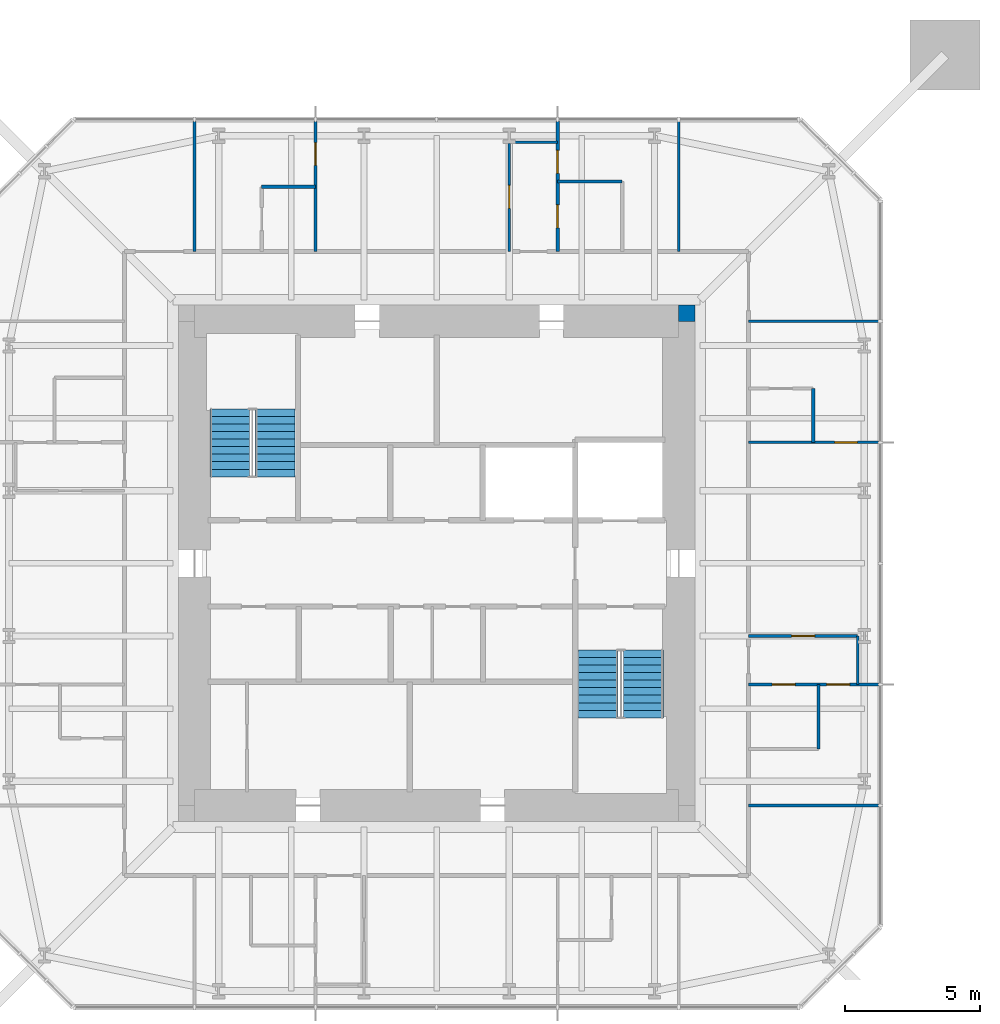
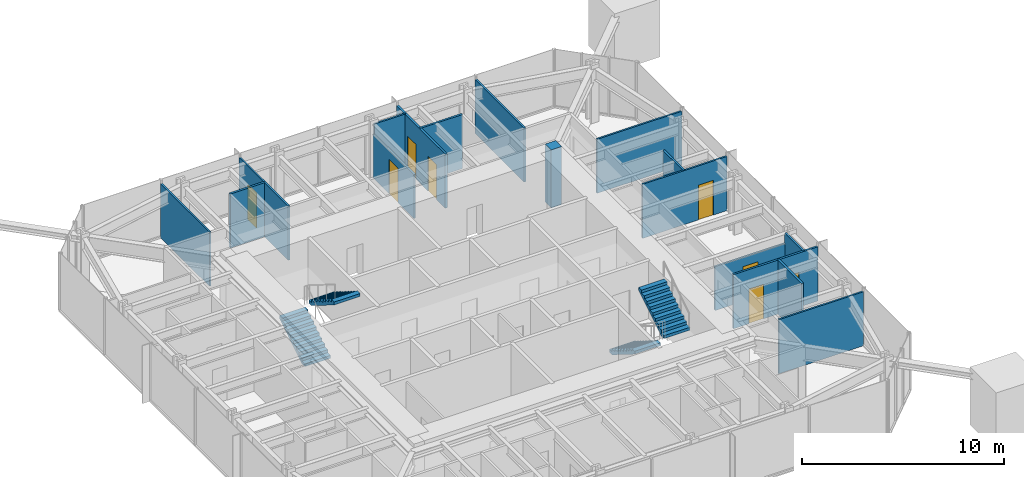
# One storey, part 8 of 9: 17 walls, 8 doors, 4 stair flights, 8 openings, 2 elements without a shape of their own.
"""IFC4 building model written with IfcOpenShell, lengths in metres."""

from ifc_helpers import new_model, si_unit, direction, frame, frame_2d, origin, place, context, subcontext, project, spatial, polyline, rectangle, outline, extrude, material, layer, layer_set, constituent, constituent_set, type_object, element, fill, aggregate, save


model = new_model("IFC4")

# Units and contexts
model_context = context("Model", 3, precision=1e-05, world=origin(), true_north=direction((0.0, 1.0)))
body_context = subcontext(model_context, "Body", "Model", "MODEL_VIEW")
ifc_project = project(units=[si_unit("LENGTHUNIT", "METRE"), si_unit("AREAUNIT", "SQUARE_METRE"), si_unit("VOLUMEUNIT", "CUBIC_METRE"), si_unit("PLANEANGLEUNIT", "RADIAN"), si_unit("MASSUNIT", "GRAM", prefix="KILO")], contexts=[model_context])

# Site, building, storey
site_placement = place(None, origin())
site = spatial("IfcSite", under=ifc_project, at=site_placement, CompositionType="ELEMENT")
building_placement = place(site_placement, origin())
building = spatial("IfcBuilding", under=site, at=building_placement, Name="Iwan Alto Co-Living Towers", CompositionType="ELEMENT")
storey_placement = place(building_placement, frame((0.0, 0.0, 239.5)))
storey = spatial("IfcBuildingStorey", under=building, at=storey_placement, Name="L65", CompositionType="ELEMENT", Elevation=239.5)

# Wall
ifc_material_1 = material(Name="Gypsum board")
ifc_layer_1 = layer(ifc_material_1, 0.012451171875, Name="Board", Category="Finish")
ifc_material_2 = material(Name="Steel ASTM A1003 ST33H cold-formed studs", Category="steel")
ifc_layer_2 = layer(ifc_material_2, 0.074951171875, Name="Studs", Category="Framing")
ifc_layer_3 = layer(ifc_material_1, 0.012451171875, Name="Board", Category="Finish")
ifc_layer_set_1 = layer_set([ifc_layer_1, ifc_layer_2, ifc_layer_3], Name="PARTITION 100")
wall_type_1 = type_object("IfcWallType", Name="PARTITION 100", PredefinedType="PARTITIONING", material=ifc_layer_set_1)
wall_1_placement = place(storey_placement, frame((11.60009765625, -9.0, 0.0), z_axis=(0.0, 0.0, 1.0), x_axis=(1.0, 0.0, 0.0)))
element("IfcWall", 1, at=wall_1_placement, inside=storey, type_object=wall_type_1, Name="Partition L65", PredefinedType="PARTITIONING", context=body_context, shape_type="SweptSolid", body=[
    extrude(rectangle(XDim=4.83984375, YDim=0.10009765625, at=frame_2d((2.419921875, 0.0))), origin(), (0.0, 0.0, 1.0), 3.27001953125),
])

# Wall, opening, door
wall_2_placement = place(storey_placement, frame((11.60009765625, -2.699951171875, 0.0), z_axis=(0.0, 0.0, 1.0), x_axis=(1.0, 0.0, 0.0)))
wall_2 = element("IfcWall", 2, at=wall_2_placement, inside=storey, type_object=wall_type_1, Name="Partition L65", PredefinedType="PARTITIONING", context=body_context, shape_type="SweptSolid", body=[
    extrude(rectangle(XDim=4.0498046875, YDim=0.10009765625, at=frame_2d((2.02490234375, 0.0))), origin(), (0.0, 0.0, 1.0), 2.662841796875),
])
opening_1_placement = place(wall_2_placement, frame((1.60009765625, 0.0, 0.0)))
opening_1 = element("IfcOpeningElement", 3, at=opening_1_placement, cuts=wall_2, Name="Opening D2", PredefinedType="OPENING", context=body_context, shape_type="SweptSolid", body=[
    extrude(rectangle(XDim=0.85009765625, YDim=2.10009765625, at=frame_2d((0.425048828125, 1.050048828125))), frame((0.0, 0.06005859375, 0.0), z_axis=(0.0, -1.0, 0.0), x_axis=(1.0, 0.0, 0.0)), (0.0, 0.0, 1.0), 0.1201171875),
])
ifc_material_3 = material(Name="Timber leaf in steel frame", Category="steel")
door_type = type_object("IfcDoorType", Name="ROOM DOOR 850X2100", OperationType="SINGLE_SWING_LEFT", PredefinedType="DOOR", material=ifc_material_3)
door_1_placement = place(opening_1_placement, origin())
door_1 = element("IfcDoor", 4, at=door_1_placement, inside=storey, type_object=door_type, Name="Apartment foyer door L65", OperationType="SINGLE_SWING_RIGHT", OverallHeight=2.10009765625, OverallWidth=0.85009765625, PredefinedType="DOOR", context=body_context, shape_type="SweptSolid", body=[
    extrude(rectangle(XDim=0.85009765625, YDim=2.10009765625, at=frame_2d((0.425048828125, 1.050048828125))), frame((0.0, 0.02490234375, 0.0), z_axis=(0.0, -1.0, 0.0), x_axis=(1.0, 0.0, 0.0)), (0.0, 0.0, 1.0), 0.050048828125),
])
fill(opening_1, door_1)

wall_3_placement = place(storey_placement, frame((11.60009765625, 4.5, 0.0), z_axis=(0.0, 0.0, 1.0), x_axis=(1.0, 0.0, 0.0)))
wall_3 = element("IfcWall", 5, at=wall_3_placement, inside=storey, type_object=wall_type_1, Name="Partition L65", PredefinedType="PARTITIONING", context=body_context, shape_type="SweptSolid", body=[
    extrude(rectangle(XDim=4.83984375, YDim=0.10009765625, at=frame_2d((2.419921875, 0.0))), origin(), (0.0, 0.0, 1.0), 3.27001953125),
])
opening_2_placement = place(wall_3_placement, frame((3.195068359375, 0.0, 0.0)))
opening_2 = element("IfcOpeningElement", 6, at=opening_2_placement, cuts=wall_3, Name="Opening D2", PredefinedType="OPENING", context=body_context, shape_type="SweptSolid", body=[
    extrude(rectangle(XDim=0.85009765625, YDim=2.10009765625, at=frame_2d((0.425048828125, 1.050048828125))), frame((0.0, 0.06005859375, 0.0), z_axis=(0.0, -1.0, 0.0), x_axis=(1.0, 0.0, 0.0)), (0.0, 0.0, 1.0), 0.1201171875),
])
door_2_placement = place(opening_2_placement, frame((0.85009765625, 0.0, 0.0), z_axis=(0.0, 0.0, 1.0), x_axis=(-1.0, 0.0, 0.0)))
door_2 = element("IfcDoor", 7, at=door_2_placement, inside=storey, type_object=door_type, Name="Bedroom door L65", OperationType="SINGLE_SWING_LEFT", OverallHeight=2.10009765625, OverallWidth=0.85009765625, PredefinedType="DOOR", context=body_context, shape_type="SweptSolid", body=[
    extrude(rectangle(XDim=0.85009765625, YDim=2.10009765625, at=frame_2d((0.425048828125, 1.050048828125))), frame((0.0, 0.02490234375, 0.0), z_axis=(0.0, -1.0, 0.0), x_axis=(1.0, 0.0, 0.0)), (0.0, 0.0, 1.0), 0.050048828125),
])
fill(opening_2, door_2)

# Walls
wall_4_placement = place(storey_placement, frame((11.60009765625, 9.0, 0.0), z_axis=(0.0, 0.0, 1.0), x_axis=(1.0, 0.0, 0.0)))
element("IfcWall", 8, at=wall_4_placement, inside=storey, type_object=wall_type_1, Name="Partition L65", PredefinedType="PARTITIONING", context=body_context, shape_type="SweptSolid", body=[
    extrude(rectangle(XDim=4.83984375, YDim=0.10009765625, at=frame_2d((2.419921875, 0.0))), origin(), (0.0, 0.0, 1.0), 3.27001953125),
])
for number, where, z_axis, x_axis, name in (
    (9, (2.699951171875, 15.64990234375, 0.0), (0.0, 0.0, 1.0), (1.0, 0.0, 0.0), "Partition L65"),
    (10, (15.64990234375, -4.5, 0.0), (0.0, 0.0, 1.0), (0.0, 1.0, 0.0), "Partition L65"),
):
    element("IfcWall", number, at=place(storey_placement, frame(where, z_axis=z_axis, x_axis=x_axis)), inside=storey, type_object=wall_type_1, Name=name, PredefinedType="PARTITIONING", context=body_context, shape_type="SweptSolid", body=[
        extrude(rectangle(XDim=1.800048828125, YDim=0.10009765625, at=frame_2d((0.89990234375, 0.0))), origin(), (0.0, 0.0, 1.0), 3.27001953125),
    ])
wall_5_placement = place(storey_placement, frame((9.0, 11.60009765625, 0.0), z_axis=(0.0, 0.0, 1.0), x_axis=(0.0, 1.0, 0.0)))
element("IfcWall", 11, at=wall_5_placement, inside=storey, type_object=wall_type_1, Name="Partition L65", PredefinedType="PARTITIONING", context=body_context, shape_type="SweptSolid", body=[
    extrude(rectangle(XDim=4.83984375, YDim=0.10009765625, at=frame_2d((2.419921875, 0.0))), origin(), (0.0, 0.0, 1.0), 3.27001953125),
])

# Wall, opening, door
wall_6_placement = place(storey_placement, frame((2.699951171875, 11.60009765625, 0.0), z_axis=(0.0, 0.0, 1.0), x_axis=(0.0, 1.0, 0.0)))
wall_6 = element("IfcWall", 12, at=wall_6_placement, inside=storey, type_object=wall_type_1, Name="Partition L65", PredefinedType="PARTITIONING", context=body_context, shape_type="SweptSolid", body=[
    extrude(rectangle(XDim=4.0498046875, YDim=0.10009765625, at=frame_2d((2.02490234375, 0.0))), origin(), (0.0, 0.0, 1.0), 2.662841796875),
])
opening_3_placement = place(wall_6_placement, frame((1.60009765625, 0.0, 0.0)))
opening_3 = element("IfcOpeningElement", 13, at=opening_3_placement, cuts=wall_6, Name="Opening D2", PredefinedType="OPENING", context=body_context, shape_type="SweptSolid", body=[
    extrude(rectangle(XDim=0.85009765625, YDim=2.10009765625, at=frame_2d((0.425048828125, 1.050048828125))), frame((0.0, 0.06005859375, 0.0), z_axis=(0.0, -1.0, 0.0), x_axis=(1.0, 0.0, 0.0)), (0.0, 0.0, 1.0), 0.1201171875),
])
door_3_placement = place(opening_3_placement, origin())
door_3 = element("IfcDoor", 14, at=door_3_placement, inside=storey, type_object=door_type, Name="Apartment foyer door L65", OperationType="SINGLE_SWING_RIGHT", OverallHeight=2.10009765625, OverallWidth=0.85009765625, PredefinedType="DOOR", context=body_context, shape_type="SweptSolid", body=[
    extrude(rectangle(XDim=0.85009765625, YDim=2.10009765625, at=frame_2d((0.425048828125, 1.050048828125))), frame((0.0, 0.02490234375, 0.0), z_axis=(0.0, -1.0, 0.0), x_axis=(1.0, 0.0, 0.0)), (0.0, 0.0, 1.0), 0.050048828125),
])
fill(opening_3, door_3)

wall_7_placement = place(storey_placement, frame((-4.5, 11.60009765625, 0.0), z_axis=(0.0, 0.0, 1.0), x_axis=(0.0, 1.0, 0.0)))
wall_7 = element("IfcWall", 15, at=wall_7_placement, inside=storey, type_object=wall_type_1, Name="Partition L65", PredefinedType="PARTITIONING", context=body_context, shape_type="SweptSolid", body=[
    extrude(rectangle(XDim=4.83984375, YDim=0.10009765625, at=frame_2d((2.419921875, 0.0))), origin(), (0.0, 0.0, 1.0), 3.27001953125),
])
opening_4_placement = place(wall_7_placement, frame((3.195068359375, 0.0, 0.0)))
opening_4 = element("IfcOpeningElement", 16, at=opening_4_placement, cuts=wall_7, Name="Opening D2", PredefinedType="OPENING", context=body_context, shape_type="SweptSolid", body=[
    extrude(rectangle(XDim=0.85009765625, YDim=2.10009765625, at=frame_2d((0.425048828125, 1.050048828125))), frame((0.0, 0.06005859375, 0.0), z_axis=(0.0, -1.0, 0.0), x_axis=(1.0, 0.0, 0.0)), (0.0, 0.0, 1.0), 0.1201171875),
])
door_4_placement = place(opening_4_placement, frame((0.85009765625, 0.0, 0.0), z_axis=(0.0, 0.0, 1.0), x_axis=(-1.0, 0.0, 0.0)))
door_4 = element("IfcDoor", 17, at=door_4_placement, inside=storey, type_object=door_type, Name="Bedroom door L65", OperationType="SINGLE_SWING_LEFT", OverallHeight=2.10009765625, OverallWidth=0.85009765625, PredefinedType="DOOR", context=body_context, shape_type="SweptSolid", body=[
    extrude(rectangle(XDim=0.85009765625, YDim=2.10009765625, at=frame_2d((0.425048828125, 1.050048828125))), frame((0.0, 0.02490234375, 0.0), z_axis=(0.0, -1.0, 0.0), x_axis=(1.0, 0.0, 0.0)), (0.0, 0.0, 1.0), 0.050048828125),
])
fill(opening_4, door_4)

# Walls
wall_8_placement = place(storey_placement, frame((-9.0, 11.60009765625, 0.0), z_axis=(0.0, 0.0, 1.0), x_axis=(0.0, 1.0, 0.0)))
element("IfcWall", 18, at=wall_8_placement, inside=storey, type_object=wall_type_1, Name="Partition L65", PredefinedType="PARTITIONING", context=body_context, shape_type="SweptSolid", body=[
    extrude(rectangle(XDim=4.83984375, YDim=0.10009765625, at=frame_2d((2.419921875, 0.0))), origin(), (0.0, 0.0, 1.0), 3.27001953125),
])
ifc_material_4 = material(Name="Concrete f'c 70 MPa", Category="concrete")
ifc_layer_4 = layer(ifc_material_4, 0.60009765625)
ifc_layer_set_2 = layer_set([ifc_layer_4], Name="T1 CORE CORNER FILL 600")
wall_type_2 = type_object("IfcWallType", Name="T1 CORE CORNER FILL 600", PredefinedType="SOLIDWALL", material=ifc_layer_set_2)
wall_9_placement = place(storey_placement, frame((9.0, 9.300048828125, 0.0), z_axis=(0.0, 0.0, 1.0), x_axis=(1.0, 0.0, 0.0)))
element("IfcWall", 19, at=wall_9_placement, inside=storey, type_object=wall_type_2, Name="T1 core corner NE L65", PredefinedType="SOLIDWALL", context=body_context, shape_type="SweptSolid", body=[
    extrude(rectangle(XDim=0.60009765625, YDim=0.60009765625, at=frame_2d((0.300048828125, 0.0))), origin(), (0.0, 0.0, 1.0), 3.5),
])

# Wall, openings, doors
ifc_material_5 = material(Name="Cement board")
ifc_layer_5 = layer(ifc_material_5, 0.012451171875, Name="Board", Category="Finish")
ifc_layer_6 = layer(ifc_material_2, 0.094970703125, Name="Studs", Category="Framing")
ifc_layer_7 = layer(ifc_material_5, 0.012451171875, Name="Board", Category="Finish")
ifc_layer_set_3 = layer_set([ifc_layer_5, ifc_layer_6, ifc_layer_7], Name="WET AREA PARTITION 120")
wall_type_3 = type_object("IfcWallType", Name="WET AREA PARTITION 120", PredefinedType="PARTITIONING", material=ifc_layer_set_3)
wall_10_placement = place(storey_placement, frame((11.60009765625, -4.5, 0.0), z_axis=(0.0, 0.0, 1.0), x_axis=(1.0, 0.0, 0.0)))
wall_10 = element("IfcWall", 20, at=wall_10_placement, inside=storey, type_object=wall_type_3, Name="Partition L65", PredefinedType="PARTITIONING", context=body_context, shape_type="SweptSolid", body=[
    extrude(rectangle(XDim=4.83984375, YDim=0.1201171875, at=frame_2d((2.419921875, 0.0))), origin(), (0.0, 0.0, 1.0), 3.27001953125),
])
opening_5_placement = place(wall_10_placement, frame((2.89990234375, 0.0, 0.0)))
opening_5 = element("IfcOpeningElement", 21, at=opening_5_placement, cuts=wall_10, Name="Opening D2", PredefinedType="OPENING", context=body_context, shape_type="SweptSolid", body=[
    extrude(rectangle(XDim=0.85009765625, YDim=2.10009765625, at=frame_2d((0.425048828125, 1.050048828125))), frame((0.0, 0.070068359375, 0.0), z_axis=(0.0, -1.0, 0.0), x_axis=(1.0, 0.0, 0.0)), (0.0, 0.0, 1.0), 0.14013671875),
])
opening_6_placement = place(wall_10_placement, frame((0.875, 0.0, 0.0)))
opening_6 = element("IfcOpeningElement", 22, at=opening_6_placement, cuts=wall_10, Name="Opening D2", PredefinedType="OPENING", context=body_context, shape_type="SweptSolid", body=[
    extrude(rectangle(XDim=0.85009765625, YDim=2.10009765625, at=frame_2d((0.425048828125, 1.050048828125))), frame((0.0, 0.070068359375, 0.0), z_axis=(0.0, -1.0, 0.0), x_axis=(1.0, 0.0, 0.0)), (0.0, 0.0, 1.0), 0.14013671875),
])
door_5_placement = place(opening_5_placement, frame((0.85009765625, 0.0, 0.0), z_axis=(0.0, 0.0, 1.0), x_axis=(-1.0, 0.0, 0.0)))
door_5 = element("IfcDoor", 23, at=door_5_placement, inside=storey, type_object=door_type, Name="Bedroom door L65", OperationType="SINGLE_SWING_RIGHT", OverallHeight=2.10009765625, OverallWidth=0.85009765625, PredefinedType="DOOR", context=body_context, shape_type="SweptSolid", body=[
    extrude(rectangle(XDim=0.85009765625, YDim=2.10009765625, at=frame_2d((0.425048828125, 1.050048828125))), frame((0.0, 0.02490234375, 0.0), z_axis=(0.0, -1.0, 0.0), x_axis=(1.0, 0.0, 0.0)), (0.0, 0.0, 1.0), 0.050048828125),
])
fill(opening_5, door_5)
door_6_placement = place(opening_6_placement, frame((0.85009765625, 0.0, 0.0), z_axis=(0.0, 0.0, 1.0), x_axis=(-1.0, 0.0, 0.0)))
door_6 = element("IfcDoor", 24, at=door_6_placement, inside=storey, type_object=door_type, Name="Bathroom door L65", OperationType="SINGLE_SWING_RIGHT", OverallHeight=2.10009765625, OverallWidth=0.85009765625, PredefinedType="DOOR", context=body_context, shape_type="SweptSolid", body=[
    extrude(rectangle(XDim=0.85009765625, YDim=2.10009765625, at=frame_2d((0.425048828125, 1.050048828125))), frame((0.0, 0.02490234375, 0.0), z_axis=(0.0, -1.0, 0.0), x_axis=(1.0, 0.0, 0.0)), (0.0, 0.0, 1.0), 0.050048828125),
])
fill(opening_6, door_6)

# Walls
wall_11_placement = place(storey_placement, frame((-6.5, 14.0, 0.0), z_axis=(0.0, 0.0, 1.0), x_axis=(1.0, 0.0, 0.0)))
element("IfcWall", 25, at=wall_11_placement, inside=storey, type_object=wall_type_3, Name="Partition L65", PredefinedType="PARTITIONING", context=body_context, shape_type="SweptSolid", body=[
    extrude(rectangle(XDim=2.0, YDim=0.1201171875, at=frame_2d((1.0, 0.0))), origin(), (0.0, 0.0, 1.0), 3.27001953125),
])
for number, where, z_axis, x_axis, name in (
    (26, (4.5, 14.199951171875, 0.0), (0.0, 0.0, 1.0), (1.0, 0.0, 0.0), "Partition L65"),
    (27, (14.199951171875, -6.89990234375, 0.0), (0.0, 0.0, 1.0), (0.0, 1.0, 0.0), "Partition L65"),
):
    element("IfcWall", number, at=place(storey_placement, frame(where, z_axis=z_axis, x_axis=x_axis)), inside=storey, type_object=wall_type_3, Name=name, PredefinedType="PARTITIONING", context=body_context, shape_type="SweptSolid", body=[
        extrude(rectangle(XDim=2.39990234375, YDim=0.1201171875, at=frame_2d((1.199951171875, 0.0))), origin(), (0.0, 0.0, 1.0), 3.27001953125),
    ])
wall_12_placement = place(storey_placement, frame((14.0, 4.5, 0.0), z_axis=(0.0, 0.0, 1.0), x_axis=(0.0, 1.0, 0.0)))
element("IfcWall", 28, at=wall_12_placement, inside=storey, type_object=wall_type_3, Name="Partition L65", PredefinedType="PARTITIONING", context=body_context, shape_type="SweptSolid", body=[
    extrude(rectangle(XDim=2.0, YDim=0.1201171875, at=frame_2d((1.0, 0.0))), origin(), (0.0, 0.0, 1.0), 3.27001953125),
])

# Wall, openings, doors
wall_13_placement = place(storey_placement, frame((4.5, 11.60009765625, 0.0), z_axis=(0.0, 0.0, 1.0), x_axis=(0.0, 1.0, 0.0)))
wall_13 = element("IfcWall", 29, at=wall_13_placement, inside=storey, type_object=wall_type_3, Name="Partition L65", PredefinedType="PARTITIONING", context=body_context, shape_type="SweptSolid", body=[
    extrude(rectangle(XDim=4.83984375, YDim=0.1201171875, at=frame_2d((2.419921875, 0.0))), origin(), (0.0, 0.0, 1.0), 3.27001953125),
])
opening_7_placement = place(wall_13_placement, frame((2.89990234375, 0.0, 0.0)))
opening_7 = element("IfcOpeningElement", 30, at=opening_7_placement, cuts=wall_13, Name="Opening D2", PredefinedType="OPENING", context=body_context, shape_type="SweptSolid", body=[
    extrude(rectangle(XDim=0.85009765625, YDim=2.10009765625, at=frame_2d((0.425048828125, 1.050048828125))), frame((0.0, 0.070068359375, 0.0), z_axis=(0.0, -1.0, 0.0), x_axis=(1.0, 0.0, 0.0)), (0.0, 0.0, 1.0), 0.14013671875),
])
opening_8_placement = place(wall_13_placement, frame((0.875, 0.0, 0.0)))
opening_8 = element("IfcOpeningElement", 31, at=opening_8_placement, cuts=wall_13, Name="Opening D2", PredefinedType="OPENING", context=body_context, shape_type="SweptSolid", body=[
    extrude(rectangle(XDim=0.85009765625, YDim=2.10009765625, at=frame_2d((0.425048828125, 1.050048828125))), frame((0.0, 0.070068359375, 0.0), z_axis=(0.0, -1.0, 0.0), x_axis=(1.0, 0.0, 0.0)), (0.0, 0.0, 1.0), 0.14013671875),
])
door_7_placement = place(opening_7_placement, frame((0.85009765625, 0.0, 0.0), z_axis=(0.0, 0.0, 1.0), x_axis=(-1.0, 0.0, 0.0)))
door_7 = element("IfcDoor", 32, at=door_7_placement, inside=storey, type_object=door_type, Name="Bedroom door L65", OperationType="SINGLE_SWING_RIGHT", OverallHeight=2.10009765625, OverallWidth=0.85009765625, PredefinedType="DOOR", context=body_context, shape_type="SweptSolid", body=[
    extrude(rectangle(XDim=0.85009765625, YDim=2.10009765625, at=frame_2d((0.425048828125, 1.050048828125))), frame((0.0, 0.02490234375, 0.0), z_axis=(0.0, -1.0, 0.0), x_axis=(1.0, 0.0, 0.0)), (0.0, 0.0, 1.0), 0.050048828125),
])
fill(opening_7, door_7)
door_8_placement = place(opening_8_placement, frame((0.85009765625, 0.0, 0.0), z_axis=(0.0, 0.0, 1.0), x_axis=(-1.0, 0.0, 0.0)))
door_8 = element("IfcDoor", 33, at=door_8_placement, inside=storey, type_object=door_type, Name="Bathroom door L65", OperationType="SINGLE_SWING_RIGHT", OverallHeight=2.10009765625, OverallWidth=0.85009765625, PredefinedType="DOOR", context=body_context, shape_type="SweptSolid", body=[
    extrude(rectangle(XDim=0.85009765625, YDim=2.10009765625, at=frame_2d((0.425048828125, 1.050048828125))), frame((0.0, 0.02490234375, 0.0), z_axis=(0.0, -1.0, 0.0), x_axis=(1.0, 0.0, 0.0)), (0.0, 0.0, 1.0), 0.050048828125),
])
fill(opening_8, door_8)

# Stair, stair flights
ifc_material_6 = material(Name="Steel ASTM A36", Category="steel")
ifc_constituent_1 = constituent(ifc_material_6, Name="Stringers", Category="LoadBearing")
ifc_material_7 = material(Name="Concrete f'c 30 MPa", Category="concrete")
ifc_constituent_2 = constituent(ifc_material_7, Name="Tread fill", Category="Finish")
ifc_constituent_set_1 = constituent_set(constituents=[ifc_constituent_1, ifc_constituent_2], Name="STAIR 3500 TWO-FLIGHT T1 CORE")
stair_type = type_object("IfcStairType", Name="STAIR 3500 TWO-FLIGHT T1 CORE", PredefinedType="HALF_TURN_STAIR", material=ifc_constituent_set_1)
stair_1_placement = place(storey_placement, origin())
stair_1 = element("IfcStair", 34, at=stair_1_placement, inside=storey, type_object=stair_type, Name="Stair T1-S1 L65 to L66", PredefinedType="HALF_TURN_STAIR")
ifc_constituent_3 = constituent(ifc_material_6, Name="Stringers", Category="LoadBearing")
ifc_constituent_4 = constituent(ifc_material_7, Name="Tread fill", Category="Finish")
ifc_constituent_set_2 = constituent_set(constituents=[ifc_constituent_3, ifc_constituent_4], Name="STAIR FLIGHT 10 RISERS 280 GOING")
stair_flight_type = type_object("IfcStairFlightType", Name="STAIR FLIGHT 10 RISERS 280 GOING", PredefinedType="STRAIGHT", material=ifc_constituent_set_2)
stair_flight_1_placement = place(storey_placement, frame((-7.68994140625, 3.219970703125, 0.0), z_axis=(0.0, 0.0, 1.0), x_axis=(0.0, 1.0, 0.0)))
stair_flight_1 = element("IfcStairFlight", 35, at=stair_flight_1_placement, type_object=stair_flight_type, Name="T1-S1 flight 1", NumberOfRisers=10, NumberOfTreads=9, PredefinedType="STRAIGHT", RiserHeight=0.175, TreadLength=0.28, context=body_context, shape_type="SweptSolid", body=[
    extrude(outline(polyline([(0.0, 0.0), (0.0, 0.175048828125), (0.280029296875, 0.175048828125), (0.280029296875, 0.35009765625), (0.56005859375, 0.35009765625), (0.56005859375, 0.52490234375), (0.840087890625, 0.52490234375), (0.840087890625, 0.699951171875), (1.1201171875, 0.699951171875), (1.1201171875, 0.875), (1.39990234375, 0.875), (1.39990234375, 1.050048828125), (1.679931640625, 1.050048828125), (1.679931640625, 1.22509765625), (1.9599609375, 1.22509765625), (1.9599609375, 1.39990234375), (2.239990234375, 1.39990234375), (2.239990234375, 1.574951171875), (2.52001953125, 1.574951171875), (2.52001953125, 1.75), (2.52001953125, 1.398193359375), (0.28271484375, 0.0), (0.0, 0.0)])), frame((0.0, 0.739990234375, 0.0), z_axis=(0.0, -1.0, 0.0), x_axis=(1.0, 0.0, 0.0)), (0.0, 0.0, 1.0), 1.47998046875),
])
stair_flight_2_placement = place(storey_placement, frame((-6.010009765625, 5.739990234375, 1.75), z_axis=(0.0, 0.0, 1.0), x_axis=(0.0, -1.0, 0.0)))
stair_flight_2 = element("IfcStairFlight", 36, at=stair_flight_2_placement, type_object=stair_flight_type, Name="T1-S1 flight 2", NumberOfRisers=10, NumberOfTreads=9, PredefinedType="STRAIGHT", RiserHeight=0.175, TreadLength=0.28, context=body_context, shape_type="SweptSolid", body=[
    extrude(outline(polyline([(0.0, 0.0), (0.0, 0.175048828125), (0.280029296875, 0.175048828125), (0.280029296875, 0.35009765625), (0.56005859375, 0.35009765625), (0.56005859375, 0.52490234375), (0.840087890625, 0.52490234375), (0.840087890625, 0.699951171875), (1.1201171875, 0.699951171875), (1.1201171875, 0.875), (1.39990234375, 0.875), (1.39990234375, 1.050048828125), (1.679931640625, 1.050048828125), (1.679931640625, 1.22509765625), (1.9599609375, 1.22509765625), (1.9599609375, 1.39990234375), (2.239990234375, 1.39990234375), (2.239990234375, 1.574951171875), (2.52001953125, 1.574951171875), (2.52001953125, 1.75), (2.52001953125, 1.398193359375), (0.28271484375, 0.0), (0.0, 0.0)])), frame((0.0, 0.739990234375, 0.0), z_axis=(0.0, -1.0, 0.0), x_axis=(1.0, 0.0, 0.0)), (0.0, 0.0, 1.0), 1.47998046875),
])
aggregate(stair_1, [stair_flight_1, stair_flight_2])

stair_2_placement = place(storey_placement, origin())
stair_2 = element("IfcStair", 37, at=stair_2_placement, inside=storey, type_object=stair_type, Name="Stair T1-S2 L65 to L66", PredefinedType="HALF_TURN_STAIR")
stair_flight_3_placement = place(storey_placement, frame((6.010009765625, -3.219970703125, 0.0), z_axis=(0.0, 0.0, 1.0), x_axis=(0.0, -1.0, 0.0)))
stair_flight_3 = element("IfcStairFlight", 38, at=stair_flight_3_placement, type_object=stair_flight_type, Name="T1-S2 flight 1", NumberOfRisers=10, NumberOfTreads=9, PredefinedType="STRAIGHT", RiserHeight=0.175, TreadLength=0.28, context=body_context, shape_type="SweptSolid", body=[
    extrude(outline(polyline([(0.0, 0.0), (0.0, 0.175048828125), (0.280029296875, 0.175048828125), (0.280029296875, 0.35009765625), (0.56005859375, 0.35009765625), (0.56005859375, 0.52490234375), (0.840087890625, 0.52490234375), (0.840087890625, 0.699951171875), (1.1201171875, 0.699951171875), (1.1201171875, 0.875), (1.39990234375, 0.875), (1.39990234375, 1.050048828125), (1.679931640625, 1.050048828125), (1.679931640625, 1.22509765625), (1.9599609375, 1.22509765625), (1.9599609375, 1.39990234375), (2.239990234375, 1.39990234375), (2.239990234375, 1.574951171875), (2.52001953125, 1.574951171875), (2.52001953125, 1.75), (2.52001953125, 1.398193359375), (0.28271484375, 0.0), (0.0, 0.0)])), frame((0.0, 0.739990234375, 0.0), z_axis=(0.0, -1.0, 0.0), x_axis=(1.0, 0.0, 0.0)), (0.0, 0.0, 1.0), 1.47998046875),
])
stair_flight_4_placement = place(storey_placement, frame((7.68994140625, -5.739990234375, 1.75), z_axis=(0.0, 0.0, 1.0), x_axis=(0.0, 1.0, 0.0)))
stair_flight_4 = element("IfcStairFlight", 39, at=stair_flight_4_placement, type_object=stair_flight_type, Name="T1-S2 flight 2", NumberOfRisers=10, NumberOfTreads=9, PredefinedType="STRAIGHT", RiserHeight=0.175, TreadLength=0.28, context=body_context, shape_type="SweptSolid", body=[
    extrude(outline(polyline([(0.0, 0.0), (0.0, 0.175048828125), (0.280029296875, 0.175048828125), (0.280029296875, 0.35009765625), (0.56005859375, 0.35009765625), (0.56005859375, 0.52490234375), (0.840087890625, 0.52490234375), (0.840087890625, 0.699951171875), (1.1201171875, 0.699951171875), (1.1201171875, 0.875), (1.39990234375, 0.875), (1.39990234375, 1.050048828125), (1.679931640625, 1.050048828125), (1.679931640625, 1.22509765625), (1.9599609375, 1.22509765625), (1.9599609375, 1.39990234375), (2.239990234375, 1.39990234375), (2.239990234375, 1.574951171875), (2.52001953125, 1.574951171875), (2.52001953125, 1.75), (2.52001953125, 1.398193359375), (0.28271484375, 0.0), (0.0, 0.0)])), frame((0.0, 0.739990234375, 0.0), z_axis=(0.0, -1.0, 0.0), x_axis=(1.0, 0.0, 0.0)), (0.0, 0.0, 1.0), 1.47998046875),
])
aggregate(stair_2, [stair_flight_3, stair_flight_4])

save(model, "model.ifc")
